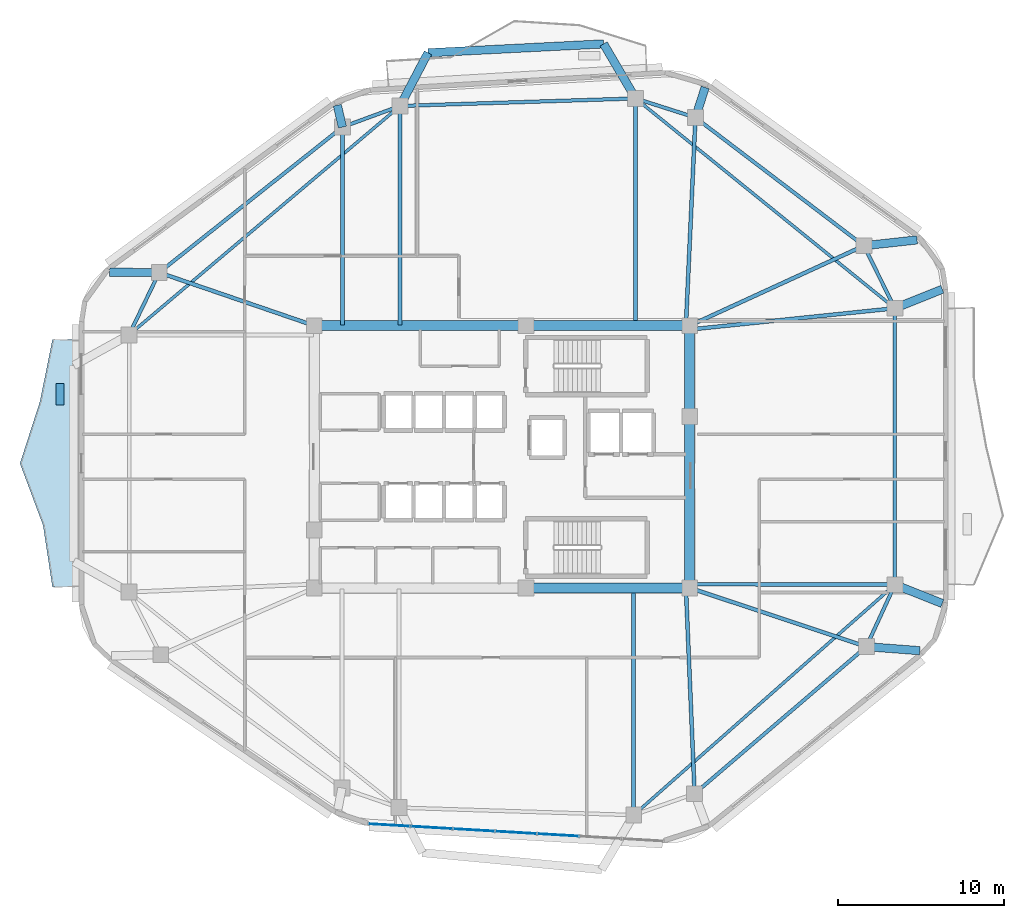
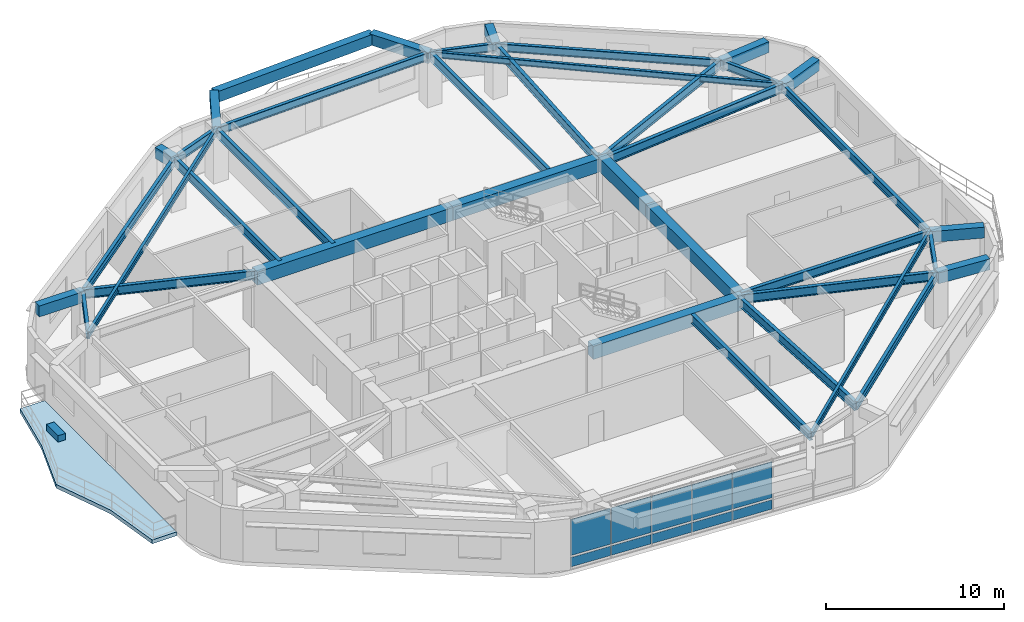
# One storey, part 7 of 14: 39 beams, 11 plates, 1 slab, 1 element without a shape of its own.
"""IFC4 building model written with IfcOpenShell, lengths in metres."""

from ifc_helpers import new_model, si_unit, direction, frame, origin, origin_2d, place, context, subcontext, project, spatial, polyline, rectangle, i_section, outline, extrude, material, layer, layer_set, material_profile, profile_set, type_object, element, aggregate, save


model = new_model("IFC4")

# Units and contexts
model_context = context("Model", 3, precision=1e-05, world=origin(), true_north=direction((0.0, 1.0)))
body_context = subcontext(model_context, "Body", "Model", "MODEL_VIEW")
ifc_project = project(units=[si_unit("LENGTHUNIT", "METRE"), si_unit("AREAUNIT", "SQUARE_METRE"), si_unit("VOLUMEUNIT", "CUBIC_METRE"), si_unit("PLANEANGLEUNIT", "RADIAN"), si_unit("MASSUNIT", "GRAM", prefix="KILO")], contexts=[model_context])

# Site, building, storey
site_placement = place(None, origin())
site = spatial("IfcSite", under=ifc_project, at=site_placement, CompositionType="ELEMENT")
building_placement = place(site_placement, origin())
building = spatial("IfcBuilding", under=site, at=building_placement, Name="Zulverin Broadcast Headquarters", CompositionType="ELEMENT")
storey_placement = place(building_placement, frame((0.0, 0.0, 208.60009765625)))
storey = spatial("IfcBuildingStorey", under=building, at=storey_placement, Name="L53", CompositionType="ELEMENT", Elevation=208.60009765625)

# Beams
ifc_material_1 = material(Name="Concrete C60/75", Category="concrete")
ifc_material_profile_1 = material_profile(ifc_material_1, rectangle(XDim=0.60009765625, YDim=0.89990234375, at=origin_2d()), Name="Concrete C60/75", Category="concrete")
ifc_profile_set_1 = profile_set([ifc_material_profile_1], Name="Concrete C60/75")
beam_type_1 = type_object("IfcBeamType", Name="BM-CB-600x900", PredefinedType="LINTEL", material=ifc_profile_set_1)
beam_1_placement = place(storey_placement, frame((38.449951171875, 17.324951171875, 3.08984375), z_axis=(1.0, 0.0, 0.0), x_axis=(0.0, 1.0, 0.0)))
element("IfcBeam", 1, at=beam_1_placement, inside=storey, type_object=beam_type_1, Name="L53 Core Coupling Girder K02-K03", PredefinedType="LINTEL", context=body_context, shape_type="SweptSolid", body=[
    extrude(rectangle(XDim=0.60009765625, YDim=0.89990234375, at=origin_2d()), origin(), (0.0, 0.0, 1.0), 9.824951171875),
])
beam_2_placement = place(storey_placement, frame((48.27490234375, 17.324951171875, 3.08984375), z_axis=(0.0, 1.0, 0.0), x_axis=(-1.0, 0.0, 0.0)))
element("IfcBeam", 2, at=beam_2_placement, inside=storey, type_object=beam_type_1, Name="L53 Core Coupling Girder K03-K04", PredefinedType="LINTEL", context=body_context, shape_type="SweptSolid", body=[
    extrude(rectangle(XDim=0.60009765625, YDim=0.89990234375, at=origin_2d()), origin(), (0.0, 0.0, 1.0), 10.295166015625),
])
beam_3_placement = place(storey_placement, frame((48.27490234375, 27.6201171875, 3.08984375), z_axis=(0.0, 1.0, 0.0), x_axis=(-1.0, 0.0, 0.0)))
element("IfcBeam", 3, at=beam_3_placement, inside=storey, type_object=beam_type_1, Name="L53 Core Coupling Girder K04-K05", PredefinedType="LINTEL", context=body_context, shape_type="SweptSolid", body=[
    extrude(rectangle(XDim=0.60009765625, YDim=0.89990234375, at=origin_2d()), origin(), (0.0, 0.0, 1.0), 5.454833984375),
])
beam_4_placement = place(storey_placement, frame((48.27490234375, 33.074951171875, 3.08984375), z_axis=(-1.0, 0.0, 0.0), x_axis=(0.0, -1.0, 0.0)))
element("IfcBeam", 4, at=beam_4_placement, inside=storey, type_object=beam_type_1, Name="L53 Core Coupling Girder K05-K06", PredefinedType="LINTEL", context=body_context, shape_type="SweptSolid", body=[
    extrude(rectangle(XDim=0.60009765625, YDim=0.89990234375, at=origin_2d()), origin(), (0.0, 0.0, 1.0), 9.824951171875),
])
beam_5_placement = place(storey_placement, frame((38.449951171875, 33.074951171875, 3.08984375), z_axis=(-1.0, 0.0, 0.0), x_axis=(0.0, -1.0, 0.0)))
element("IfcBeam", 5, at=beam_5_placement, inside=storey, type_object=beam_type_1, Name="L53 Core Coupling Girder K06-K07", PredefinedType="LINTEL", context=body_context, shape_type="SweptSolid", body=[
    extrude(rectangle(XDim=0.60009765625, YDim=0.89990234375, at=origin_2d()), origin(), (0.0, 0.0, 1.0), 12.724853515625),
])
ifc_material_2 = material(Name="Concrete C40/50", Category="concrete")
ifc_material_profile_2 = material_profile(ifc_material_2, rectangle(XDim=0.5, YDim=0.75, at=origin_2d()), Name="Concrete C40/50", Category="concrete")
ifc_profile_set_2 = profile_set([ifc_material_profile_2], Name="Concrete C40/50")
beam_type_2 = type_object("IfcBeamType", Name="BM-RC-500x750", PredefinedType="BEAM", material=ifc_profile_set_2)
beam_6_placement = place(storey_placement, frame((58.886962890625, 13.798095703125, 3.164794921875), z_axis=(0.997102032175, -0.076075866292, 0.0), x_axis=(0.076075866292, 0.997102032175, 0.0)))
element("IfcBeam", 6, at=beam_6_placement, inside=storey, type_object=beam_type_2, Name="L54 Plate Overhang Back-Spanned Beam OVR-04", PredefinedType="BEAM", context=body_context, shape_type="SweptSolid", body=[
    extrude(rectangle(XDim=0.5, YDim=0.75, at=origin_2d()), origin(), (0.0, 0.0, 1.0), 3.21875),
])
beam_7_placement = place(storey_placement, frame((60.60009765625, 17.519287109375, 3.164794921875), z_axis=(0.92971289004, -0.368285136944, 0.0), x_axis=(0.368285136944, 0.92971289004, 0.0)))
element("IfcBeam", 7, at=beam_7_placement, inside=storey, type_object=beam_type_2, Name="L54 Plate Overhang Back-Spanned Beam OVR-05", PredefinedType="BEAM", context=body_context, shape_type="SweptSolid", body=[
    extrude(rectangle(XDim=0.5, YDim=0.75, at=origin_2d()), origin(), (0.0, 0.0, 1.0), 3.065185546875),
])
beam_8_placement = place(storey_placement, frame((60.60009765625, 34.12158203125, 3.164794921875), z_axis=(0.92796044158, 0.372678707284, 0.0), x_axis=(-0.372678707284, 0.92796044158, 0.0)))
element("IfcBeam", 8, at=beam_8_placement, inside=storey, type_object=beam_type_2, Name="L54 Plate Overhang Back-Spanned Beam OVR-06", PredefinedType="BEAM", context=body_context, shape_type="SweptSolid", body=[
    extrude(rectangle(XDim=0.5, YDim=0.75, at=origin_2d()), origin(), (0.0, 0.0, 1.0), 3.071044921875),
])
beam_9_placement = place(storey_placement, frame((58.738037109375, 37.877685546875, 3.164794921875), z_axis=(0.994004521098, 0.109338977669, 0.0), x_axis=(-0.109338977669, 0.994004521098, 0.0)))
element("IfcBeam", 9, at=beam_9_placement, inside=storey, type_object=beam_type_2, Name="L54 Plate Overhang Back-Spanned Beam OVR-07", PredefinedType="BEAM", context=body_context, shape_type="SweptSolid", body=[
    extrude(rectangle(XDim=0.5, YDim=0.75, at=origin_2d()), origin(), (0.0, 0.0, 1.0), 3.213134765625),
])
beam_10_placement = place(storey_placement, frame((48.62158203125, 45.574951171875, 3.164794921875), z_axis=(0.306395409062, 0.951904329912, 0.0), x_axis=(-0.951904329912, 0.306395409062, 0.0)))
element("IfcBeam", 10, at=beam_10_placement, inside=storey, type_object=beam_type_2, Name="L54 Plate Overhang Back-Spanned Beam OVR-08", PredefinedType="BEAM", context=body_context, shape_type="SweptSolid", body=[
    extrude(rectangle(XDim=0.5, YDim=0.75, at=origin_2d()), origin(), (0.0, 0.0, 1.0), 1.90283203125),
])
beam_11_placement = place(storey_placement, frame((27.416259765625, 45.00439453125, 3.164794921875), z_axis=(-0.226537446689, 0.97400245649, 0.0), x_axis=(-0.97400245649, -0.226537446689, 0.0)))
element("IfcBeam", 11, at=beam_11_placement, inside=storey, type_object=beam_type_2, Name="L54 Plate Overhang Back-Spanned Beam OVR-11", PredefinedType="BEAM", context=body_context, shape_type="SweptSolid", body=[
    extrude(rectangle(XDim=0.5, YDim=0.75, at=origin_2d()), origin(), (0.0, 0.0, 1.0), 1.349365234375),
])
beam_12_placement = place(storey_placement, frame((16.40869140625, 36.26806640625, 3.164794921875), z_axis=(-0.999987827006, 0.004934150462, 0.0), x_axis=(-0.004934150462, -0.999987827006, 0.0)))
element("IfcBeam", 12, at=beam_12_placement, inside=storey, type_object=beam_type_2, Name="L54 Plate Overhang Back-Spanned Beam OVR-12", PredefinedType="BEAM", context=body_context, shape_type="SweptSolid", body=[
    extrude(rectangle(XDim=0.5, YDim=0.75, at=origin_2d()), origin(), (0.0, 0.0, 1.0), 2.96875),
])
beam_13_placement = place(storey_placement, frame((45.027587890625, 46.7236328125, 3.164794921875), z_axis=(-0.506062406052, 0.862496864447, 0.0), x_axis=(-0.862496864447, -0.506062406052, 0.0)))
element("IfcBeam", 13, at=beam_13_placement, inside=storey, type_object=beam_type_2, Name="L54 Balcony Column-Framed Cantilever BAL_N-1", PredefinedType="BEAM", context=body_context, shape_type="SweptSolid", body=[
    extrude(rectangle(XDim=0.5, YDim=0.75, at=origin_2d()), origin(), (0.0, 0.0, 1.0), 3.800048828125),
])
beam_14_placement = place(storey_placement, frame((30.882080078125, 46.27490234375, 3.164794921875), z_axis=(0.464042433028, 0.885812971427, 0.0), x_axis=(-0.885812971427, 0.464042433028, 0.0)))
element("IfcBeam", 14, at=beam_14_placement, inside=storey, type_object=beam_type_2, Name="L54 Balcony Column-Framed Cantilever BAL_N-2", PredefinedType="BEAM", context=body_context, shape_type="SweptSolid", body=[
    extrude(rectangle(XDim=0.5, YDim=0.75, at=origin_2d()), origin(), (0.0, 0.0, 1.0), 3.60400390625),
])
beam_15_placement = place(storey_placement, frame((43.1044921875, 50.001220703125, 3.164794921875), z_axis=(-0.998721780531, -0.050545079814, 0.0), x_axis=(0.050545079814, -0.998721780531, 0.0)))
element("IfcBeam", 15, at=beam_15_placement, inside=storey, type_object=beam_type_2, Name="L54 Balcony Outer Edge Trimmer Beam BAL_N", PredefinedType="BEAM", context=body_context, shape_type="SweptSolid", body=[
    extrude(rectangle(XDim=0.5, YDim=0.75, at=origin_2d()), origin(), (0.0, 0.0, 1.0), 10.5634765625),
])
ifc_material_3 = material(Name="Structural steel S355JR", Category="steel")
ifc_material_profile_3 = material_profile(ifc_material_3, i_section(OverallWidth=0.179443359375, OverallDepth=0.412841796875, WebThickness=0.009521484375, FlangeThickness=0.01611328125, at=origin_2d()), Name="Structural steel S355JR", Category="steel")
ifc_profile_set_3 = profile_set([ifc_material_profile_3], Name="Structural steel S355JR")
beam_type_3 = type_object("IfcBeamType", Name="BM-UB-406", PredefinedType="JOIST", material=ifc_profile_set_3)
beam_16_placement = place(storey_placement, frame((44.909912109375, 3.68017578125, 3.33349609375), z_axis=(0.74996043981, 0.661482682102, 0.0), x_axis=(-0.661482682102, 0.74996043981, 0.0)))
element("IfcBeam", 16, at=beam_16_placement, inside=storey, type_object=beam_type_3, Name="L53 Chordal Floor Joist J-01", PredefinedType="JOIST", context=body_context, shape_type="SweptSolid", body=[
    extrude(i_section(OverallWidth=0.179443359375, OverallDepth=0.412841796875, WebThickness=0.009521484375, FlangeThickness=0.01611328125, at=origin_2d()), origin(), (0.0, 0.0, 1.0), 20.92138671875),
])
beam_17_placement = place(storey_placement, frame((60.60009765625, 34.12158203125, 3.33349609375), z_axis=(-0.777349017335, 0.629069555175, 0.0), x_axis=(-0.629069555175, -0.777349017335, 0.0)))
element("IfcBeam", 17, at=beam_17_placement, inside=storey, type_object=beam_type_3, Name="L53 Chordal Floor Joist J-02", PredefinedType="JOIST", context=body_context, shape_type="SweptSolid", body=[
    extrude(i_section(OverallWidth=0.179443359375, OverallDepth=0.412841796875, WebThickness=0.009521484375, FlangeThickness=0.01611328125, at=origin_2d()), origin(), (0.0, 0.0, 1.0), 20.032958984375),
])
beam_18_placement = place(storey_placement, frame((30.882080078125, 46.27490234375, 3.33349609375), z_axis=(-0.763972566446, -0.645248725468, 0.0), x_axis=(0.645248725468, -0.763972566446, 0.0)))
element("IfcBeam", 18, at=beam_18_placement, inside=storey, type_object=beam_type_3, Name="L53 Chordal Floor Joist J-03", PredefinedType="JOIST", context=body_context, shape_type="SweptSolid", body=[
    extrude(i_section(OverallWidth=0.179443359375, OverallDepth=0.412841796875, WebThickness=0.009521484375, FlangeThickness=0.01611328125, at=origin_2d()), origin(), (0.0, 0.0, 1.0), 21.312255859375),
])
ifc_material_profile_4 = material_profile(ifc_material_3, i_section(OverallWidth=0.2119140625, OverallDepth=0.54443359375, WebThickness=0.0126953125, FlangeThickness=0.021240234375, at=origin_2d()), Name="Structural steel S355JR", Category="steel")
ifc_profile_set_4 = profile_set([ifc_material_profile_4], Name="Structural steel S355JR")
beam_type_4 = type_object("IfcBeamType", Name="BM-UB-533", PredefinedType="SPANDREL", material=ifc_profile_set_4)
beam_19_placement = place(storey_placement, frame((48.569580078125, 4.967041015625, 3.267578125), z_axis=(0.759708170965, 0.650264173217, 0.0), x_axis=(-0.650264173217, 0.759708170965, 0.0)))
element("IfcBeam", 19, at=beam_19_placement, inside=storey, type_object=beam_type_4, Name="L53 Perimeter Spandrel Beam SP-03", PredefinedType="SPANDREL", context=body_context, shape_type="SweptSolid", body=[
    extrude(i_section(OverallWidth=0.2119140625, OverallDepth=0.54443359375, WebThickness=0.0126953125, FlangeThickness=0.021240234375, at=origin_2d()), origin(), (0.0, 0.0, 1.0), 13.580810546875),
])
beam_20_placement = place(storey_placement, frame((58.886962890625, 13.798095703125, 3.267578125), z_axis=(0.418184975358, 0.90836189175, 0.0), x_axis=(-0.90836189175, 0.418184975358, 0.0)))
element("IfcBeam", 20, at=beam_20_placement, inside=storey, type_object=beam_type_4, Name="L53 Perimeter Spandrel Beam SP-04", PredefinedType="SPANDREL", context=body_context, shape_type="SweptSolid", body=[
    extrude(i_section(OverallWidth=0.2119140625, OverallDepth=0.54443359375, WebThickness=0.0126953125, FlangeThickness=0.021240234375, at=origin_2d()), origin(), (0.0, 0.0, 1.0), 4.0966796875),
])
beam_21_placement = place(storey_placement, frame((60.60009765625, 17.519287109375, 3.267578125), z_axis=(0.0, 1.0, 0.0), x_axis=(-1.0, 0.0, 0.0)))
element("IfcBeam", 21, at=beam_21_placement, inside=storey, type_object=beam_type_4, Name="L53 Perimeter Spandrel Beam SP-05", PredefinedType="SPANDREL", context=body_context, shape_type="SweptSolid", body=[
    extrude(i_section(OverallWidth=0.2119140625, OverallDepth=0.54443359375, WebThickness=0.0126953125, FlangeThickness=0.021240234375, at=origin_2d()), origin(), (0.0, 0.0, 1.0), 16.602294921875),
])
beam_22_placement = place(storey_placement, frame((60.60009765625, 34.12158203125, 3.267578125), z_axis=(-0.444159471033, 0.895947746407, 0.0), x_axis=(-0.895947746407, -0.444159471033, 0.0)))
element("IfcBeam", 22, at=beam_22_placement, inside=storey, type_object=beam_type_4, Name="L53 Perimeter Spandrel Beam SP-06", PredefinedType="SPANDREL", context=body_context, shape_type="SweptSolid", body=[
    extrude(i_section(OverallWidth=0.2119140625, OverallDepth=0.54443359375, WebThickness=0.0126953125, FlangeThickness=0.021240234375, at=origin_2d()), origin(), (0.0, 0.0, 1.0), 4.1923828125),
])
beam_23_placement = place(storey_placement, frame((58.738037109375, 37.877685546875, 3.267578125), z_axis=(-0.795830102505, 0.60551998146, 0.0), x_axis=(-0.60551998146, -0.795830102505, 0.0)))
element("IfcBeam", 23, at=beam_23_placement, inside=storey, type_object=beam_type_4, Name="L53 Perimeter Spandrel Beam SP-07", PredefinedType="SPANDREL", context=body_context, shape_type="SweptSolid", body=[
    extrude(i_section(OverallWidth=0.2119140625, OverallDepth=0.54443359375, WebThickness=0.0126953125, FlangeThickness=0.021240234375, at=origin_2d()), origin(), (0.0, 0.0, 1.0), 12.7119140625),
])
beam_24_placement = place(storey_placement, frame((48.62158203125, 45.574951171875, 3.267578125), z_axis=(-0.952531523781, 0.304439971428, 0.0), x_axis=(-0.304439971428, -0.952531523781, 0.0)))
element("IfcBeam", 24, at=beam_24_placement, inside=storey, type_object=beam_type_4, Name="L53 Perimeter Spandrel Beam SP-08", PredefinedType="SPANDREL", context=body_context, shape_type="SweptSolid", body=[
    extrude(i_section(OverallWidth=0.2119140625, OverallDepth=0.54443359375, WebThickness=0.0126953125, FlangeThickness=0.021240234375, at=origin_2d()), origin(), (0.0, 0.0, 1.0), 3.773193359375),
])
beam_25_placement = place(storey_placement, frame((45.027587890625, 46.7236328125, 3.267578125), z_axis=(-0.999497221833, -0.031706522156, 0.0), x_axis=(0.031706522156, -0.999497221833, 0.0)))
element("IfcBeam", 25, at=beam_25_placement, inside=storey, type_object=beam_type_4, Name="L53 Perimeter Spandrel Beam SP-09", PredefinedType="SPANDREL", context=body_context, shape_type="SweptSolid", body=[
    extrude(i_section(OverallWidth=0.2119140625, OverallDepth=0.54443359375, WebThickness=0.0126953125, FlangeThickness=0.021240234375, at=origin_2d()), origin(), (0.0, 0.0, 1.0), 14.152587890625),
])
beam_26_placement = place(storey_placement, frame((30.882080078125, 46.27490234375, 3.267578125), z_axis=(-0.938901965426, -0.344184687805, 0.0), x_axis=(0.344184687805, -0.938901965426, 0.0)))
element("IfcBeam", 26, at=beam_26_placement, inside=storey, type_object=beam_type_4, Name="L53 Perimeter Spandrel Beam SP-10", PredefinedType="SPANDREL", context=body_context, shape_type="SweptSolid", body=[
    extrude(i_section(OverallWidth=0.2119140625, OverallDepth=0.54443359375, WebThickness=0.0126953125, FlangeThickness=0.021240234375, at=origin_2d()), origin(), (0.0, 0.0, 1.0), 3.69140625),
])
beam_27_placement = place(storey_placement, frame((27.416259765625, 45.00439453125, 3.267578125), z_axis=(-0.783283263401, -0.621664965457, 0.0), x_axis=(0.621664965457, -0.783283263401, 0.0)))
element("IfcBeam", 27, at=beam_27_placement, inside=storey, type_object=beam_type_4, Name="L53 Perimeter Spandrel Beam SP-11", PredefinedType="SPANDREL", context=body_context, shape_type="SweptSolid", body=[
    extrude(i_section(OverallWidth=0.2119140625, OverallDepth=0.54443359375, WebThickness=0.0126953125, FlangeThickness=0.021240234375, at=origin_2d()), origin(), (0.0, 0.0, 1.0), 14.05322265625),
])
beam_28_placement = place(storey_placement, frame((16.40869140625, 36.26806640625, 3.267578125), z_axis=(-0.434890248034, -0.900483465792, 0.0), x_axis=(0.900483465792, -0.434890248034, 0.0)))
element("IfcBeam", 28, at=beam_28_placement, inside=storey, type_object=beam_type_4, Name="L53 Perimeter Spandrel Beam SP-12", PredefinedType="SPANDREL", context=body_context, shape_type="SweptSolid", body=[
    extrude(i_section(OverallWidth=0.2119140625, OverallDepth=0.54443359375, WebThickness=0.0126953125, FlangeThickness=0.021240234375, at=origin_2d()), origin(), (0.0, 0.0, 1.0), 4.15869140625),
])
ifc_material_profile_5 = material_profile(ifc_material_3, i_section(OverallWidth=0.230224609375, OverallDepth=0.6171875, WebThickness=0.01318359375, FlangeThickness=0.022216796875, at=origin_2d()), Name="Structural steel S355JR", Category="steel")
ifc_profile_set_5 = profile_set([ifc_material_profile_5], Name="Structural steel S355JR")
beam_type_5 = type_object("IfcBeamType", Name="BM-UB-610", PredefinedType="BEAM", material=ifc_profile_set_5)
beam_29_placement = place(storey_placement, frame((44.909912109375, 17.27490234375, 3.231201171875), z_axis=(0.0, -1.0, 0.0), x_axis=(1.0, 0.0, 0.0)))
element("IfcBeam", 29, at=beam_29_placement, inside=storey, type_object=beam_type_5, Name="L53 Radial Primary Floor Beam RB-02", PredefinedType="BEAM", context=body_context, shape_type="SweptSolid", body=[
    extrude(i_section(OverallWidth=0.230224609375, OverallDepth=0.6171875, WebThickness=0.01318359375, FlangeThickness=0.022216796875, at=origin_2d()), origin(), (0.0, 0.0, 1.0), 13.5947265625),
])
beam_30_placement = place(storey_placement, frame((48.050048828125, 17.27490234375, 3.231201171875), z_axis=(0.042173778549, -0.99911029041, 0.0), x_axis=(0.99911029041, 0.042173778549, 0.0)))
element("IfcBeam", 30, at=beam_30_placement, inside=storey, type_object=beam_type_5, Name="L53 Radial Primary Floor Beam RB-03", PredefinedType="BEAM", context=body_context, shape_type="SweptSolid", body=[
    extrude(i_section(OverallWidth=0.230224609375, OverallDepth=0.6171875, WebThickness=0.01318359375, FlangeThickness=0.022216796875, at=origin_2d()), origin(), (0.0, 0.0, 1.0), 12.31884765625),
])
beam_31_placement = place(storey_placement, frame((48.27490234375, 17.324951171875, 3.231201171875), z_axis=(0.948964552547, -0.315382748432, 0.0), x_axis=(0.315382748432, 0.948964552547, 0.0)))
element("IfcBeam", 31, at=beam_31_placement, inside=storey, type_object=beam_type_5, Name="L53 Radial Primary Floor Beam RB-04", PredefinedType="BEAM", context=body_context, shape_type="SweptSolid", body=[
    extrude(i_section(OverallWidth=0.230224609375, OverallDepth=0.6171875, WebThickness=0.01318359375, FlangeThickness=0.022216796875, at=origin_2d()), origin(), (0.0, 0.0, 1.0), 11.182861328125),
])
beam_32_placement = place(storey_placement, frame((48.324951171875, 17.550048828125, 3.231201171875), z_axis=(0.999996859956, -0.002506008559, 0.0), x_axis=(0.002506008559, 0.999996859956, 0.0)))
element("IfcBeam", 32, at=beam_32_placement, inside=storey, type_object=beam_type_5, Name="L53 Radial Primary Floor Beam RB-05", PredefinedType="BEAM", context=body_context, shape_type="SweptSolid", body=[
    extrude(i_section(OverallWidth=0.230224609375, OverallDepth=0.6171875, WebThickness=0.01318359375, FlangeThickness=0.022216796875, at=origin_2d()), origin(), (0.0, 0.0, 1.0), 12.275146484375),
])
beam_33_placement = place(storey_placement, frame((48.324951171875, 32.85009765625, 3.231201171875), z_axis=(0.994678169641, 0.103030766473, 0.0), x_axis=(-0.103030766473, 0.994678169641, 0.0)))
element("IfcBeam", 33, at=beam_33_placement, inside=storey, type_object=beam_type_5, Name="L53 Radial Primary Floor Beam RB-06", PredefinedType="BEAM", context=body_context, shape_type="SweptSolid", body=[
    extrude(i_section(OverallWidth=0.230224609375, OverallDepth=0.6171875, WebThickness=0.01318359375, FlangeThickness=0.022216796875, at=origin_2d()), origin(), (0.0, 0.0, 1.0), 12.3408203125),
])
beam_34_placement = place(storey_placement, frame((48.27490234375, 33.074951171875, 3.231201171875), z_axis=(0.90883007293, 0.417166511764, 0.0), x_axis=(-0.417166511764, 0.90883007293, 0.0)))
element("IfcBeam", 34, at=beam_34_placement, inside=storey, type_object=beam_type_5, Name="L53 Radial Primary Floor Beam RB-07", PredefinedType="BEAM", context=body_context, shape_type="SweptSolid", body=[
    extrude(i_section(OverallWidth=0.230224609375, OverallDepth=0.6171875, WebThickness=0.01318359375, FlangeThickness=0.022216796875, at=origin_2d()), origin(), (0.0, 0.0, 1.0), 11.5126953125),
])
beam_35_placement = place(storey_placement, frame((48.050048828125, 33.125, 3.231201171875), z_axis=(0.045858166026, 0.998947960911, 0.0), x_axis=(-0.998947960911, 0.045858166026, 0.0)))
element("IfcBeam", 35, at=beam_35_placement, inside=storey, type_object=beam_type_5, Name="L53 Radial Primary Floor Beam RB-08", PredefinedType="BEAM", context=body_context, shape_type="SweptSolid", body=[
    extrude(i_section(OverallWidth=0.230224609375, OverallDepth=0.6171875, WebThickness=0.01318359375, FlangeThickness=0.022216796875, at=origin_2d()), origin(), (0.0, 0.0, 1.0), 12.463134765625),
])
beam_36_placement = place(storey_placement, frame((45.027587890625, 33.125, 3.231201171875), z_axis=(0.0, 1.0, 0.0), x_axis=(-1.0, 0.0, 0.0)))
element("IfcBeam", 36, at=beam_36_placement, inside=storey, type_object=beam_type_5, Name="L53 Radial Primary Floor Beam RB-09", PredefinedType="BEAM", context=body_context, shape_type="SweptSolid", body=[
    extrude(i_section(OverallWidth=0.230224609375, OverallDepth=0.6171875, WebThickness=0.01318359375, FlangeThickness=0.022216796875, at=origin_2d()), origin(), (0.0, 0.0, 1.0), 13.5986328125),
])
beam_37_placement = place(storey_placement, frame((30.882080078125, 33.125, 3.231201171875), z_axis=(0.0, 1.0, 0.0), x_axis=(-1.0, 0.0, 0.0)))
element("IfcBeam", 37, at=beam_37_placement, inside=storey, type_object=beam_type_5, Name="L53 Radial Primary Floor Beam RB-10", PredefinedType="BEAM", context=body_context, shape_type="SweptSolid", body=[
    extrude(i_section(OverallWidth=0.230224609375, OverallDepth=0.6171875, WebThickness=0.01318359375, FlangeThickness=0.022216796875, at=origin_2d()), origin(), (0.0, 0.0, 1.0), 13.14990234375),
])
beam_38_placement = place(storey_placement, frame((27.416259765625, 33.125, 3.231201171875), z_axis=(0.0, 1.0, 0.0), x_axis=(-1.0, 0.0, 0.0)))
element("IfcBeam", 38, at=beam_38_placement, inside=storey, type_object=beam_type_5, Name="L53 Radial Primary Floor Beam RB-11", PredefinedType="BEAM", context=body_context, shape_type="SweptSolid", body=[
    extrude(i_section(OverallWidth=0.230224609375, OverallDepth=0.6171875, WebThickness=0.01318359375, FlangeThickness=0.022216796875, at=origin_2d()), origin(), (0.0, 0.0, 1.0), 11.87939453125),
])
beam_39_placement = place(storey_placement, frame((25.72509765625, 33.074951171875, 3.231201171875), z_axis=(-0.945979621685, 0.324226086793, 0.0), x_axis=(-0.324226086793, -0.945979621685, 0.0)))
element("IfcBeam", 39, at=beam_39_placement, inside=storey, type_object=beam_type_5, Name="L53 Radial Primary Floor Beam RB-12", PredefinedType="BEAM", context=body_context, shape_type="SweptSolid", body=[
    extrude(i_section(OverallWidth=0.230224609375, OverallDepth=0.6171875, WebThickness=0.01318359375, FlangeThickness=0.022216796875, at=origin_2d()), origin(), (0.0, 0.0, 1.0), 9.848388671875),
])

# Curtain wall, plates
ifc_material_4 = material(Name="Waist wind-pressure unitised curtain wall", Category="aluminium")
curtain_wall_type = type_object("IfcCurtainWallType", Name="CW-TWR-WST", PredefinedType="USERDEFINED", material=ifc_material_4)
curtain_wall_placement = place(storey_placement, origin())
curtain_wall = element("IfcCurtainWall", 40, at=curtain_wall_placement, inside=storey, type_object=curtain_wall_type, Name="L53 Unitised Curtain Wall CW-L53-E1", ObjectType="UNITISED CURTAIN WALL", PredefinedType="USERDEFINED")
ifc_material_5 = material(Name="Low-E double-glazed pale-silver vision glass", Category="glass")
ifc_layer_1 = layer(ifc_material_5, 0.035888671875, Name="Low-E double-glazed pale-silver vision glass", Category="glass")
ifc_layer_set_1 = layer_set([ifc_layer_1], Name="Low-E double-glazed pale-silver vision glass")
plate_type_1 = type_object("IfcPlateType", Name="CW-PNL-GLZ", PredefinedType="CURTAIN_PANEL", material=ifc_layer_set_1)
plate_1_placement = place(storey_placement, frame((30.232421875, 3.080322265625, 0.91455078125), z_axis=(0.0, 0.0, 1.0), x_axis=(0.998274435348, -0.058720965002, 0.0)))
plate_1 = element("IfcPlate", 41, at=plate_1_placement, type_object=plate_type_1, Name="CW-L53-E1 Vision Panel 00", PredefinedType="CURTAIN_PANEL", context=body_context, shape_type="SweptSolid", body=[
    extrude(rectangle(XDim=2.500244140625, YDim=0.035888671875, at=origin_2d()), origin(), (0.0, 0.0, 1.0), 2.4853515625),
])
plate_2_placement = place(storey_placement, frame((32.768310546875, 2.93115234375, 0.91455078125), z_axis=(0.0, 0.0, 1.0), x_axis=(0.998274435348, -0.058720965002, 0.0)))
plate_2 = element("IfcPlate", 42, at=plate_2_placement, type_object=plate_type_1, Name="CW-L53-E1 Vision Panel 01", PredefinedType="CURTAIN_PANEL", context=body_context, shape_type="SweptSolid", body=[
    extrude(rectangle(XDim=2.500244140625, YDim=0.035888671875, at=origin_2d()), origin(), (0.0, 0.0, 1.0), 2.4853515625),
])
plate_3_placement = place(storey_placement, frame((35.30419921875, 2.781982421875, 0.91455078125), z_axis=(0.0, 0.0, 1.0), x_axis=(0.998274435348, -0.058720965002, 0.0)))
plate_3 = element("IfcPlate", 43, at=plate_3_placement, type_object=plate_type_1, Name="CW-L53-E1 Vision Panel 02", PredefinedType="CURTAIN_PANEL", context=body_context, shape_type="SweptSolid", body=[
    extrude(rectangle(XDim=2.500244140625, YDim=0.035888671875, at=origin_2d()), origin(), (0.0, 0.0, 1.0), 2.4853515625),
])
plate_4_placement = place(storey_placement, frame((37.840087890625, 2.6328125, 0.91455078125), z_axis=(0.0, 0.0, 1.0), x_axis=(0.998274435348, -0.058720965002, 0.0)))
plate_4 = element("IfcPlate", 44, at=plate_4_placement, type_object=plate_type_1, Name="CW-L53-E1 Vision Panel 03", PredefinedType="CURTAIN_PANEL", context=body_context, shape_type="SweptSolid", body=[
    extrude(rectangle(XDim=2.500244140625, YDim=0.035888671875, at=origin_2d()), origin(), (0.0, 0.0, 1.0), 2.4853515625),
])
plate_5_placement = place(storey_placement, frame((40.376220703125, 2.483642578125, 0.91455078125), z_axis=(0.0, 0.0, 1.0), x_axis=(0.998274435348, -0.058720965002, 0.0)))
plate_5 = element("IfcPlate", 45, at=plate_5_placement, type_object=plate_type_1, Name="CW-L53-E1 Vision Panel 04", PredefinedType="CURTAIN_PANEL", context=body_context, shape_type="SweptSolid", body=[
    extrude(rectangle(XDim=2.500244140625, YDim=0.035888671875, at=origin_2d()), origin(), (0.0, 0.0, 1.0), 2.4853515625),
])
ifc_material_6 = material(Name="Insulated brushed pale-aluminium spandrel cassette", Category="aluminium")
ifc_layer_2 = layer(ifc_material_6, 0.050048828125, Name="Insulated brushed pale-aluminium spandrel cassette", Category="aluminium")
ifc_layer_set_2 = layer_set([ifc_layer_2], Name="Insulated brushed pale-aluminium spandrel cassette")
plate_type_2 = type_object("IfcPlateType", Name="CW-PNL-SPN", PredefinedType="CURTAIN_PANEL", material=ifc_layer_set_2)
plate_6_placement = place(storey_placement, frame((30.232421875, 3.080322265625, 0.139892578125), z_axis=(0.0, 0.0, 1.0), x_axis=(0.998274435348, -0.058720965002, 0.0)))
plate_6 = element("IfcPlate", 46, at=plate_6_placement, type_object=plate_type_2, Name="CW-L53-E1 Spandrel Cassette 00", PredefinedType="CURTAIN_PANEL", context=body_context, shape_type="SweptSolid", body=[
    extrude(rectangle(XDim=2.500244140625, YDim=0.050048828125, at=origin_2d()), origin(), (0.0, 0.0, 1.0), 0.64453125),
])
plate_7_placement = place(storey_placement, frame((32.768310546875, 2.93115234375, 0.139892578125), z_axis=(0.0, 0.0, 1.0), x_axis=(0.998274435348, -0.058720965002, 0.0)))
plate_7 = element("IfcPlate", 47, at=plate_7_placement, type_object=plate_type_2, Name="CW-L53-E1 Spandrel Cassette 01", PredefinedType="CURTAIN_PANEL", context=body_context, shape_type="SweptSolid", body=[
    extrude(rectangle(XDim=2.500244140625, YDim=0.050048828125, at=origin_2d()), origin(), (0.0, 0.0, 1.0), 0.64453125),
])
plate_8_placement = place(storey_placement, frame((35.30419921875, 2.781982421875, 0.139892578125), z_axis=(0.0, 0.0, 1.0), x_axis=(0.998274435348, -0.058720965002, 0.0)))
plate_8 = element("IfcPlate", 48, at=plate_8_placement, type_object=plate_type_2, Name="CW-L53-E1 Spandrel Cassette 02", PredefinedType="CURTAIN_PANEL", context=body_context, shape_type="SweptSolid", body=[
    extrude(rectangle(XDim=2.500244140625, YDim=0.050048828125, at=origin_2d()), origin(), (0.0, 0.0, 1.0), 0.64453125),
])
plate_9_placement = place(storey_placement, frame((37.840087890625, 2.6328125, 0.139892578125), z_axis=(0.0, 0.0, 1.0), x_axis=(0.998274435348, -0.058720965002, 0.0)))
plate_9 = element("IfcPlate", 49, at=plate_9_placement, type_object=plate_type_2, Name="CW-L53-E1 Spandrel Cassette 03", PredefinedType="CURTAIN_PANEL", context=body_context, shape_type="SweptSolid", body=[
    extrude(rectangle(XDim=2.500244140625, YDim=0.050048828125, at=origin_2d()), origin(), (0.0, 0.0, 1.0), 0.64453125),
])
plate_10_placement = place(storey_placement, frame((40.376220703125, 2.483642578125, 0.139892578125), z_axis=(0.0, 0.0, 1.0), x_axis=(0.998274435348, -0.058720965002, 0.0)))
plate_10 = element("IfcPlate", 50, at=plate_10_placement, type_object=plate_type_2, Name="CW-L53-E1 Spandrel Cassette 04", PredefinedType="CURTAIN_PANEL", context=body_context, shape_type="SweptSolid", body=[
    extrude(rectangle(XDim=2.500244140625, YDim=0.050048828125, at=origin_2d()), origin(), (0.0, 0.0, 1.0), 0.64453125),
])
aggregate(curtain_wall, [plate_6, plate_1, plate_7, plate_2, plate_8, plate_3, plate_9, plate_4, plate_10, plate_5])

# Plate
ifc_material_7 = material(Name="Precast concrete C45/55", Category="concrete")
ifc_layer_3 = layer(ifc_material_7, 0.449951171875, Name="Precast concrete C45/55", Category="concrete")
ifc_layer_set_3 = layer_set([ifc_layer_3], Name="Precast concrete C45/55")
plate_type_3 = type_object("IfcPlateType", Name="PT-01_PRECAST_GFRC_TREE_PLANTER", PredefinedType="USERDEFINED", material=ifc_layer_set_3)
plate_11_placement = place(storey_placement, frame((10.449951171875, 28.96826171875, -0.0048828125), z_axis=(0.0, 0.0, 1.0), x_axis=(0.0, 1.0, 0.0)))
element("IfcPlate", 51, at=plate_11_placement, inside=storey, type_object=plate_type_3, Name="L53 Precast GFRC Tree Planter BAL_W", ObjectType="PLANTER", PredefinedType="USERDEFINED", context=body_context, shape_type="SweptSolid", body=[
    extrude(rectangle(XDim=1.300048828125, YDim=0.5, at=origin_2d()), origin(), (0.0, 0.0, 1.0), 0.449951171875),
])

# Slab
ifc_layer_4 = layer(ifc_material_2, 0.260009765625, Name="Concrete C40/50", Category="concrete")
ifc_layer_set_4 = layer_set([ifc_layer_4], Name="Concrete C40/50")
slab_type = type_object("IfcSlabType", Name="SLB-BAL-260", PredefinedType="FLOOR", material=ifc_layer_set_4)
slab_placement = place(storey_placement, frame((0.0, 0.0, -0.260009765625)))
element("IfcSlab", 52, at=slab_placement, inside=storey, type_object=slab_type, Name="L53 Cantilevered Planted Balcony Slab BAL_W", PredefinedType="FLOOR", context=body_context, shape_type="SweptSolid", body=[
    extrude(outline(polyline([(11.60009765625, 17.36767578125), (11.60009765625, 32.240234375), (10.0, 32.240234375), (9.2490234375, 28.522216796875), (8.050048828125, 24.803955078125), (9.436767578125, 21.085693359375), (10.0, 17.36767578125), (11.60009765625, 17.36767578125)])), origin(), (0.0, 0.0, 1.0), 0.260009765625),
])

save(model, "model.ifc")
